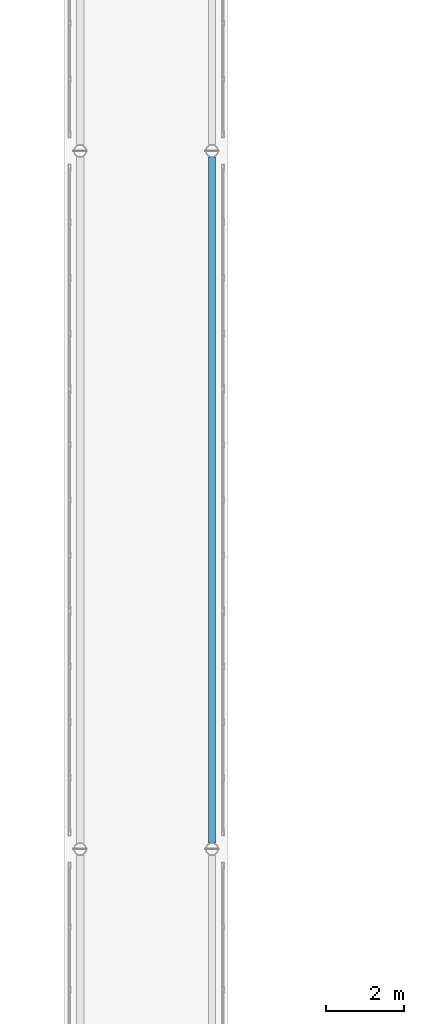
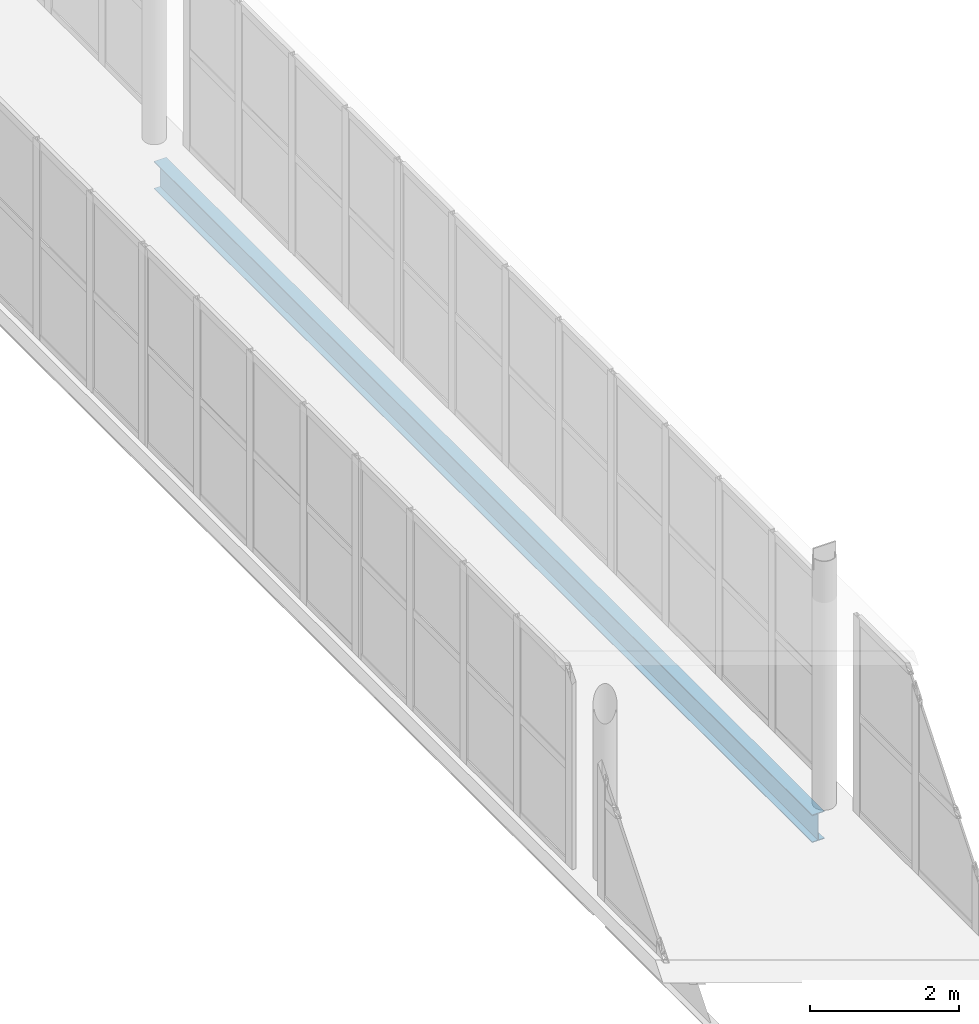
# One storey, part 28 of 52: 1 beam.
"""IFC4 building model written with IfcOpenShell, lengths in metres."""

import ifcopenshell
import ifcopenshell.guid

model = None  # the IFC model being written
_history = None  # IfcOwnerHistory: only IFC2X3 demands one
_inside = {}  # id of a spatial element -> (the spatial element, [elements in it])
_under = {}  # id of a project, library or spatial element -> (it, [spatial elements below it])
_declared = {}  # id of a project -> (the project, [libraries it declares])
_typed = {}  # id of a type object -> (the type object, [elements of that type])
_made_of = {}  # id of a material, layer set ... -> (it, [elements and type objects made of it])


def new_model(schema):
    """Start an empty IFC model of exactly this schema.

    Asked for "IFC4X3", IfcOpenShell would pick the latest addendum, in which some entities
    have other attributes; the version numbers below select the first issue.
    IFC2X3 requires an IfcOwnerHistory on every rooted entity: one is made here for all.
    """
    global model, _history
    if schema == "IFC4X3":
        model = ifcopenshell.file(schema_version=(4, 3, 0, 0))
    else:
        model = ifcopenshell.file(schema=schema)
    _inside.clear()
    _under.clear()
    _declared.clear()
    _typed.clear()
    _made_of.clear()
    _history = None
    if model.schema == "IFC2X3":
        org = make("IfcOrganization", Name="unknown")
        user = make(
            "IfcPersonAndOrganization",
            ThePerson=make("IfcPerson", FamilyName="unknown"),
            TheOrganization=org,
        )
        app = make(
            "IfcApplication",
            ApplicationDeveloper=org,
            Version="unknown",
            ApplicationFullName="unknown",
            ApplicationIdentifier="unknown",
        )
        _history = make(
            "IfcOwnerHistory",
            OwningUser=user,
            OwningApplication=app,
            ChangeAction="ADDED",
            CreationDate=0,
        )
    return model


def make(cls, **values):
    """One entity of the class cls with the attributes given. An attribute that is None is left unset."""
    return model.create_entity(
        cls, **{name: value for name, value in values.items() if value is not None}
    )


def rooted(cls, **values):
    """An entity with a GlobalId (a new one), such as an element, a storey or a relation."""
    return make(cls, GlobalId=ifcopenshell.guid.new(), OwnerHistory=_history, **values)


def si_unit(unit_type, name, prefix=None):
    """IfcSIUnit, for example si_unit("LENGTHUNIT", "METRE", prefix="MILLI")."""
    return make("IfcSIUnit", UnitType=unit_type, Prefix=prefix, Name=name)


def assignment(units):
    """IfcUnitAssignment: the units of a project."""
    return None if units is None else make("IfcUnitAssignment", Units=units)


def point(xyz):
    """IfcCartesianPoint."""
    return None if xyz is None else make("IfcCartesianPoint", Coordinates=xyz)


def direction(xyz):
    """IfcDirection."""
    return None if xyz is None else make("IfcDirection", DirectionRatios=xyz)


def frame(location, z_axis=None, x_axis=None):
    """IfcAxis2Placement3D, a coordinate frame: its origin and axes. An axis left out is left unset."""
    return make(
        "IfcAxis2Placement3D",
        Location=point(location),
        Axis=direction(z_axis),
        RefDirection=direction(x_axis),
    )


def frame_2d(location, x_axis=None):
    """IfcAxis2Placement2D, a coordinate frame in the plane: its origin and x axis."""
    return make(
        "IfcAxis2Placement2D", Location=point(location), RefDirection=direction(x_axis)
    )


def origin():
    """The frame at (0, 0, 0) with its axes left unset."""
    return frame((0.0, 0.0, 0.0))


def origin_2d():
    """The frame at (0, 0) in the plane with its x axis left unset."""
    return frame_2d((0.0, 0.0))


def place(relative_to, where):
    """IfcLocalPlacement: puts the frame where relative to a parent placement (None: the world)."""
    return make(
        "IfcLocalPlacement", PlacementRelTo=relative_to, RelativePlacement=where
    )


def context(
    kind, dimensions, precision=None, world=None, true_north=None, identifier=None
):
    """IfcGeometricRepresentationContext, for example the 3D "Model" context."""
    return make(
        "IfcGeometricRepresentationContext",
        ContextIdentifier=identifier,
        ContextType=kind,
        CoordinateSpaceDimension=dimensions,
        Precision=precision,
        WorldCoordinateSystem=world,
        TrueNorth=true_north,
    )


def subcontext(parent, identifier, kind, view, scale=None):
    """IfcGeometricRepresentationSubContext, for example "Body" below "Model"."""
    return make(
        "IfcGeometricRepresentationSubContext",
        ContextIdentifier=identifier,
        ContextType=kind,
        ParentContext=parent,
        TargetScale=scale,
        TargetView=view,
    )


def project(units=None, contexts=None):
    """IfcProject with its units and contexts."""
    return rooted(
        "IfcProject",
        Name="project",
        RepresentationContexts=contexts,
        UnitsInContext=assignment(units),
    )


def spatial(cls, under=None, at=None, **own):
    """A site, building, storey or space (cls), placed at a placement, below another one or the project."""
    s = rooted(cls, ObjectPlacement=at, **own)
    if under is not None:
        _under.setdefault(under.id(), (under, []))[1].append(s)
    return s


def profile(cls, at=None, kind="AREA", **sizes):
    """A parametric profile (cls). Its sizes go by their IFC names, for example OverallWidth=200.0."""
    return make(cls, ProfileType=kind, Position=at, **sizes)


def i_section(**sizes):
    """IfcIShapeProfileDef."""
    return profile("IfcIShapeProfileDef", **sizes)


def extrude(swept, where, along, depth):
    """IfcExtrudedAreaSolid: the profile swept, set in the frame where, extruded along a direction by depth."""
    return make(
        "IfcExtrudedAreaSolid",
        SweptArea=swept,
        Position=where,
        ExtrudedDirection=direction(along),
        Depth=depth,
    )


def shape(context_of_items, identifier, shape_type, items):
    """IfcShapeRepresentation: the items that make up one representation, for example the "Body"."""
    return make(
        "IfcShapeRepresentation",
        ContextOfItems=context_of_items,
        RepresentationIdentifier=identifier,
        RepresentationType=shape_type,
        Items=items,
    )


def material(Name=None, Category=None):
    """IfcMaterial."""
    return make("IfcMaterial", Name=Name, Category=Category)


def material_profile(
    of_material, cross_section, Name=None, Category=None, Priority=None
):
    """IfcMaterialProfile: a cross section and its material."""
    return make(
        "IfcMaterialProfile",
        Name=Name,
        Material=of_material,
        Profile=cross_section,
        Priority=Priority,
        Category=Category,
    )


def profile_set(profiles, Name=None, composite=None):
    """IfcMaterialProfileSet."""
    return make(
        "IfcMaterialProfileSet",
        Name=Name,
        MaterialProfiles=profiles,
        CompositeProfile=composite,
    )


def made_of(thing, what):
    """Note that an element or type object is made of a material, layer set ...; save() writes the relation."""
    if what is not None:
        _made_of.setdefault(what.id(), (what, []))[1].append(thing)
    return thing


def type_object(cls, material=None, **own):
    """A type object (cls), such as IfcWallType, which elements share."""
    return made_of(rooted(cls, **own), material)


def element(
    cls,
    number,
    at=None,
    inside=None,
    cuts=None,
    type_object=None,
    material=None,
    context=None,
    identifier="Body",
    shape_type=None,
    held_by="IfcProductDefinitionShape",
    body=None,
    shapes=None,
    **own,
):
    """One element of the class cls, such as IfcWall. Its Tag is "e" and its number.

    at: its placement. inside: the storey or other place that contains it. cuts: it is an
    opening in that element (IfcRelVoidsElement). A single representation is given by context,
    identifier, shape_type and body (its items); several are given by shapes. held_by: the class
    of the entity that holds the representations. save() writes the other relations.
    """
    e = rooted(cls, Tag="e%d" % number, ObjectPlacement=at, **own)
    if body is not None:
        shapes = [shape(context, identifier, shape_type, body)]
    if shapes is not None:
        e.Representation = make(held_by, Representations=shapes)
    if inside is not None:
        _inside.setdefault(inside.id(), (inside, []))[1].append(e)
    if cuts is not None:
        rooted(
            "IfcRelVoidsElement", RelatingBuildingElement=cuts, RelatedOpeningElement=e
        )
    if type_object is not None:
        _typed.setdefault(type_object.id(), (type_object, []))[1].append(e)
    return made_of(e, material)


def aggregate(whole, parts):
    """IfcRelAggregates: a whole, such as a stair, and the parts it consists of."""
    return rooted("IfcRelAggregates", RelatingObject=whole, RelatedObjects=parts)


def save(model, path):
    """Write the relations noted so far, then the file.

    IfcRelAggregates (storeys below a building ...), IfcRelContainedInSpatialStructure (elements
    in a storey), IfcRelDefinesByType, IfcRelAssociatesMaterial and IfcRelDeclares: one each for
    every whole, place, type object, material and project.
    """
    for whole, parts in _under.values():
        aggregate(whole, parts)
    for where, things in _inside.values():
        rooted(
            "IfcRelContainedInSpatialStructure",
            RelatedElements=things,
            RelatingStructure=where,
        )
    for kind, things in _typed.values():
        rooted("IfcRelDefinesByType", RelatedObjects=things, RelatingType=kind)
    for what, things in _made_of.values():
        rooted("IfcRelAssociatesMaterial", RelatedObjects=things, RelatingMaterial=what)
    for by, libraries in _declared.values():
        rooted("IfcRelDeclares", RelatingContext=by, RelatedDefinitions=libraries)
    model.write(path)


model = new_model("IFC4")

# Units and contexts
model_context = context("Model", 3, precision=1e-05, world=origin(), true_north=direction((0.0, 1.0)))
body_context = subcontext(model_context, "Body", "Model", "MODEL_VIEW")
ifc_project = project(units=[si_unit("LENGTHUNIT", "METRE"), si_unit("AREAUNIT", "SQUARE_METRE"), si_unit("VOLUMEUNIT", "CUBIC_METRE"), si_unit("PLANEANGLEUNIT", "RADIAN"), si_unit("MASSUNIT", "GRAM", prefix="KILO")], contexts=[model_context])

# Site, building, storey
site_placement = place(None, origin())
site = spatial("IfcSite", under=ifc_project, at=site_placement, CompositionType="ELEMENT")
building_placement = place(site_placement, origin())
building = spatial("IfcBuilding", under=site, at=building_placement, Name="Valcora Specialist Clinic", CompositionType="ELEMENT")
storey_placement = place(building_placement, frame((0.0, 0.0, 17.679931640625)))
storey = spatial("IfcBuildingStorey", under=building, at=storey_placement, Name="L04", CompositionType="ELEMENT", Elevation=17.679931640625)

# Beam
ifc_material = material(Name="Steel ASTM A992 Grade 50", Category="steel")
ifc_material_profile = material_profile(ifc_material, i_section(OverallWidth=0.18994140625, OverallDepth=0.45703125, WebThickness=0.009033203125, FlangeThickness=0.014892578125, at=origin_2d()), Name="ST-IR-460X190")
ifc_profile_set = profile_set([ifc_material_profile], Name="Steel ASTM A992 Grade 50")
beam_type = type_object("IfcBeamType", Name="TY-BG-IR460", PredefinedType="HOLLOWCORE", material=ifc_profile_set)
beam_placement = place(storey_placement, frame((65.0, 38.159912109375, -0.482421875), z_axis=(0.0, 1.0, 0.0), x_axis=(-1.0, 0.0, 0.0)))
element("IfcBeam", 1, at=beam_placement, inside=storey, type_object=beam_type, Name="Bridge girder BM-L04-1634", PredefinedType="HOLLOWCORE", context=body_context, shape_type="SweptSolid", body=[
    extrude(i_section(OverallWidth=0.18994140625, OverallDepth=0.45703125, WebThickness=0.009033203125, FlangeThickness=0.014892578125, at=origin_2d()), origin(), (0.0, 0.0, 1.0), 17.68017578125),
])

save(model, "model.ifc")
